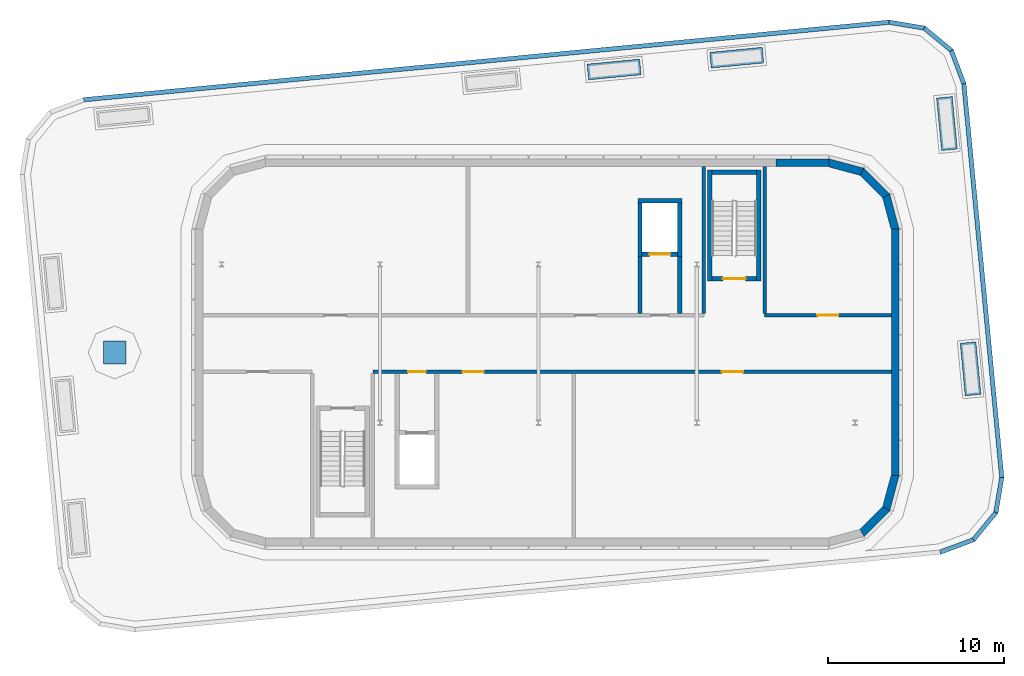
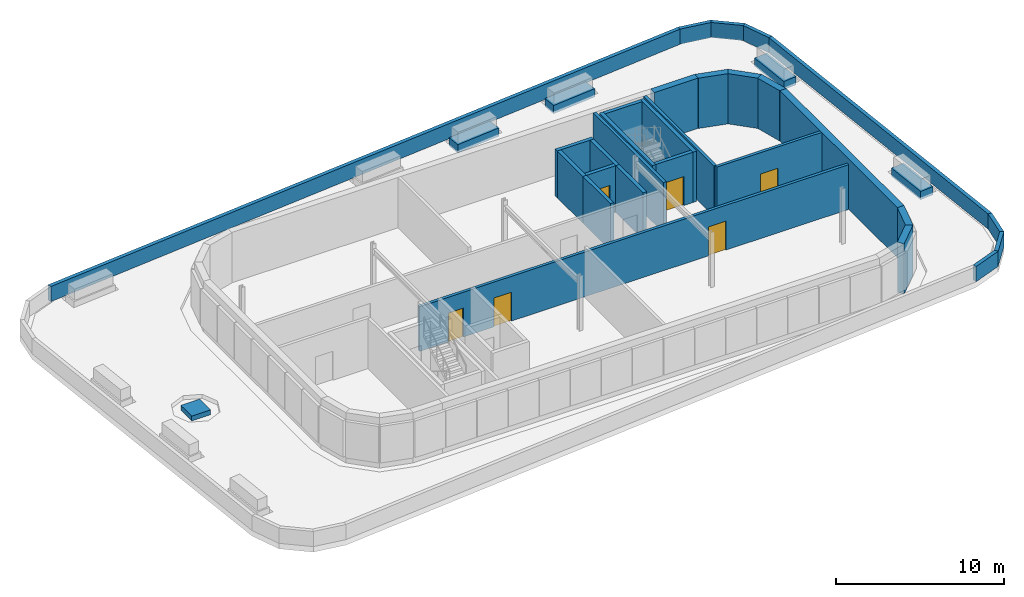
# One storey, part 3 of 6: 33 walls, 6 doors, 1 discrete accessory, 6 openings.
"""IFC4 building model written with IfcOpenShell, lengths in metres."""

from ifc_helpers import new_model, si_unit, direction, frame, frame_2d, origin, origin_2d, place, context, subcontext, project, spatial, polyline, rectangle, outline, extrude, material, layer, layer_set, type_object, element, fill, save


model = new_model("IFC4")

# Units and contexts
model_context = context("Model", 3, precision=1e-05, world=origin(), true_north=direction((0.0, 1.0)))
body_context = subcontext(model_context, "Body", "Model", "MODEL_VIEW")
ifc_project = project(units=[si_unit("LENGTHUNIT", "METRE"), si_unit("AREAUNIT", "SQUARE_METRE"), si_unit("VOLUMEUNIT", "CUBIC_METRE"), si_unit("PLANEANGLEUNIT", "RADIAN"), si_unit("MASSUNIT", "GRAM", prefix="KILO")], contexts=[model_context])

# Site, building, storey
site_placement = place(None, origin())
site = spatial("IfcSite", under=ifc_project, at=site_placement, CompositionType="ELEMENT")
building_placement = place(site_placement, origin())
building = spatial("IfcBuilding", under=site, at=building_placement, Name="Kajstack Hotel Tower", CompositionType="ELEMENT")
storey_placement = place(building_placement, frame((0.0, 0.0, 325.800048828125)))
storey = spatial("IfcBuildingStorey", under=building, at=storey_placement, Name="L82", CompositionType="ELEMENT", Elevation=325.800048828125)

# Walls
ifc_material_1 = material(Name="Concrete C40/50", Category="concrete")
ifc_layer_1 = layer(ifc_material_1, 0.449951171875)
ifc_layer_set_1 = layer_set([ifc_layer_1], Name="EW-CORE")
wall_type_1 = type_object("IfcWallType", Name="EW-CORE", PredefinedType="SOLIDWALL", material=ifc_layer_set_1)
wall_1_placement = place(storey_placement, frame((16.5, 10.27490234375, 0.0), z_axis=(0.0, 0.0, 1.0), x_axis=(-1.0, 0.0, 0.0)))
element("IfcWall", 1, at=wall_1_placement, inside=storey, type_object=wall_type_1, Name="E-wall-L82-11-00", PredefinedType="SOLIDWALL", context=body_context, shape_type="SweptSolid", body=[
    extrude(rectangle(XDim=3.0, YDim=0.449951171875, at=frame_2d((1.5, 0.0))), origin(), (0.0, 0.0, 1.0), 3.64990234375),
])
ifc_material_2 = material(Name="Zinc-clad block masonry", Category="masonry")
ifc_layer_2 = layer(ifc_material_2, 0.449951171875)
ifc_layer_set_2 = layer_set([ifc_layer_2], Name="EW-ZINC")
wall_type_2 = type_object("IfcWallType", Name="EW-ZINC", PredefinedType="SOLIDWALL", material=ifc_layer_set_2)
wall_2_placement = place(storey_placement, frame((18.3408203125, -10.804931640625, 0.0), z_axis=(0.0, 0.0, 1.0), x_axis=(0.707106781187, 0.707106781187, 0.0)))
element("IfcWall", 2, at=wall_2_placement, inside=storey, type_object=wall_type_2, Name="E-wall-L82-05-00", PredefinedType="SOLIDWALL", context=body_context, shape_type="SweptSolid", body=[
    extrude(outline(polyline([(0.0, -0.22509765625), (2.070556640625, -0.22509765625), (1.949951171875, 0.224853515625), (0.12060546875, 0.224853515625), (0.0, -0.22509765625)])), origin(), (0.0, 0.0, 1.0), 3.64990234375),
])
wall_3_placement = place(storey_placement, frame((19.746826171875, -9.441650390625, 0.0), z_axis=(0.0, 0.0, 1.0), x_axis=(0.25881466832, 0.965926999034, 0.0)))
element("IfcWall", 3, at=wall_3_placement, inside=storey, type_object=wall_type_2, Name="E-wall-L82-06-00", PredefinedType="SOLIDWALL", context=body_context, shape_type="SweptSolid", body=[
    extrude(outline(polyline([(-0.000244140625, -0.224853515625), (2.0703125, -0.22509765625), (1.949951171875, 0.22509765625), (0.120361328125, 0.22509765625), (-0.000244140625, -0.224853515625)])), origin(), (0.0, 0.0, 1.0), 3.64990234375),
])
wall_4_placement = place(storey_placement, frame((20.27490234375, -7.5, 0.0), z_axis=(0.0, 0.0, 1.0), x_axis=(0.0, 1.0, 0.0)))
element("IfcWall", 4, at=wall_4_placement, inside=storey, type_object=wall_type_2, Name="E-wall-L82-07-00", PredefinedType="SOLIDWALL", context=body_context, shape_type="SweptSolid", body=[
    extrude(rectangle(XDim=14.0, YDim=0.449951171875, at=frame_2d((7.0, 0.0))), origin(), (0.0, 0.0, 1.0), 3.64990234375),
])
wall_5_placement = place(storey_placement, frame((20.28271484375, 6.441650390625, 0.0), z_axis=(0.0, 0.0, 1.0), x_axis=(-0.25881466832, 0.965926999034, 0.0)))
element("IfcWall", 5, at=wall_5_placement, inside=storey, type_object=wall_type_2, Name="E-wall-L82-08-00", PredefinedType="SOLIDWALL", context=body_context, shape_type="SweptSolid", body=[
    extrude(outline(polyline([(0.000244140625, -0.22509765625), (2.070556640625, -0.224853515625), (1.9501953125, 0.22509765625), (0.12060546875, 0.22509765625), (0.000244140625, -0.22509765625)])), origin(), (0.0, 0.0, 1.0), 3.64990234375),
])
wall_6_placement = place(storey_placement, frame((19.804931640625, 8.3408203125, 0.0), z_axis=(0.0, 0.0, 1.0), x_axis=(-0.707106781187, 0.707106781187, 0.0)))
element("IfcWall", 6, at=wall_6_placement, inside=storey, type_object=wall_type_2, Name="E-wall-L82-09-00", PredefinedType="SOLIDWALL", context=body_context, shape_type="SweptSolid", body=[
    extrude(outline(polyline([(0.0, -0.22509765625), (2.070556640625, -0.22509765625), (1.949951171875, 0.224853515625), (0.12060546875, 0.224853515625), (0.0, -0.22509765625)])), origin(), (0.0, 0.0, 1.0), 3.64990234375),
])
wall_7_placement = place(storey_placement, frame((18.441650390625, 9.746826171875, 0.0), z_axis=(0.0, 0.0, 1.0), x_axis=(-0.965926999034, 0.25881466832, 0.0)))
element("IfcWall", 7, at=wall_7_placement, inside=storey, type_object=wall_type_2, Name="E-wall-L82-10-00", PredefinedType="SOLIDWALL", context=body_context, shape_type="SweptSolid", body=[
    extrude(outline(polyline([(-0.000244140625, -0.224853515625), (2.0703125, -0.22509765625), (1.949951171875, 0.22509765625), (0.120361328125, 0.22509765625), (-0.000244140625, -0.224853515625)])), origin(), (0.0, 0.0, 1.0), 3.64990234375),
])
ifc_layer_3 = layer(ifc_material_2, 0.25)
ifc_layer_set_3 = layer_set([ifc_layer_3], Name="PARAPET-ZINC")
wall_type_3 = type_object("IfcWallType", Name="PARAPET-ZINC", PredefinedType="PARAPET", material=ifc_layer_set_3)
wall_8_placement = place(storey_placement, origin())
element("IfcWall", 8, at=wall_8_placement, inside=storey, type_object=wall_type_3, Name="Parapet L82-01-01-03", PredefinedType="PARAPET", context=body_context, shape_type="SweptSolid", body=[
    extrude(outline(polyline([(-25.855712890625, 13.975341796875), (-25.799072265625, 13.729736328125), (19.923583984375, 18.132080078125), (19.9326171875, 18.38427734375), (-25.855712890625, 13.975341796875)])), origin(), (0.0, 0.0, 1.0), 1.099853515625),
])
wall_9_placement = place(storey_placement, origin())
element("IfcWall", 9, at=wall_9_placement, inside=storey, type_object=wall_type_3, Name="Parapet L82-01-01-04", PredefinedType="PARAPET", context=body_context, shape_type="SweptSolid", body=[
    extrude(outline(polyline([(19.9326171875, 18.38427734375), (19.923583984375, 18.132080078125), (21.8671875, 17.806884765625), (21.974609375, 18.04248046875), (19.9326171875, 18.38427734375)])), origin(), (0.0, 0.0, 1.0), 1.099853515625),
])
wall_10_placement = place(storey_placement, origin())
element("IfcWall", 10, at=wall_10_placement, inside=storey, type_object=wall_type_3, Name="Parapet L82-01-01-05", PredefinedType="PARAPET", context=body_context, shape_type="SweptSolid", body=[
    extrude(outline(polyline([(21.974609375, 18.04248046875), (21.8671875, 17.806884765625), (23.361572265625, 16.5751953125), (23.572265625, 16.7255859375), (21.974609375, 18.04248046875)])), origin(), (0.0, 0.0, 1.0), 1.099853515625),
])
wall_11_placement = place(storey_placement, origin())
element("IfcWall", 11, at=wall_11_placement, inside=storey, type_object=wall_type_3, Name="Parapet L82-01-01-06", PredefinedType="PARAPET", context=body_context, shape_type="SweptSolid", body=[
    extrude(outline(polyline([(23.572265625, 16.7255859375), (23.361572265625, 16.5751953125), (24.0517578125, 14.729248046875), (24.29736328125, 14.785888671875), (23.572265625, 16.7255859375)])), origin(), (0.0, 0.0, 1.0), 1.099853515625),
])
wall_12_placement = place(storey_placement, origin())
element("IfcWall", 12, at=wall_12_placement, inside=storey, type_object=wall_type_3, Name="Parapet L82-01-01-07", PredefinedType="PARAPET", context=body_context, shape_type="SweptSolid", body=[
    extrude(outline(polyline([(24.29736328125, 14.785888671875), (24.0517578125, 14.729248046875), (26.201904296875, -7.6015625), (26.4541015625, -7.6103515625), (24.29736328125, 14.785888671875)])), origin(), (0.0, 0.0, 1.0), 1.099853515625),
])
wall_13_placement = place(storey_placement, origin())
element("IfcWall", 13, at=wall_13_placement, inside=storey, type_object=wall_type_3, Name="Parapet L82-01-01-08", PredefinedType="PARAPET", context=body_context, shape_type="SweptSolid", body=[
    extrude(outline(polyline([(26.4541015625, -7.6103515625), (26.201904296875, -7.6015625), (25.876708984375, -9.545166015625), (26.112060546875, -9.652587890625), (26.4541015625, -7.6103515625)])), origin(), (0.0, 0.0, 1.0), 1.099853515625),
])
wall_14_placement = place(storey_placement, origin())
element("IfcWall", 14, at=wall_14_placement, inside=storey, type_object=wall_type_3, Name="Parapet L82-01-01-09", PredefinedType="PARAPET", context=body_context, shape_type="SweptSolid", body=[
    extrude(outline(polyline([(26.112060546875, -9.652587890625), (25.876708984375, -9.545166015625), (24.64501953125, -11.03955078125), (24.795166015625, -11.250244140625), (26.112060546875, -9.652587890625)])), origin(), (0.0, 0.0, 1.0), 1.099853515625),
])
wall_15_placement = place(storey_placement, origin())
element("IfcWall", 15, at=wall_15_placement, inside=storey, type_object=wall_type_3, Name="Parapet L82-01-01-10", PredefinedType="PARAPET", context=body_context, shape_type="SweptSolid", body=[
    extrude(outline(polyline([(24.795166015625, -11.250244140625), (24.64501953125, -11.03955078125), (22.799072265625, -11.729736328125), (22.855712890625, -11.975341796875), (24.795166015625, -11.250244140625)])), origin(), (0.0, 0.0, 1.0), 1.099853515625),
])
ifc_material_3 = material(Name="Concrete C30/37", Category="concrete")
ifc_layer_4 = layer(ifc_material_3, 0.89990234375)
ifc_layer_set_4 = layer_set([ifc_layer_4], Name="PLANTER-WALL")
wall_type_4 = type_object("IfcWallType", Name="PLANTER-WALL", PredefinedType="SOLIDWALL", material=ifc_layer_set_4)
for number, where, z_axis, x_axis, name in (
    (16, (2.807861328125, 15.42919921875, 0.0), (0.0, 0.0, 1.0), (0.995394704809, 0.095861262448, 0.0), "PLANTER L82-01-03"),
    (17, (9.775634765625, 16.10009765625, 0.0), (0.0, 0.0, 1.0), (0.995394704809, 0.095861262448, 0.0), "PLANTER L82-01-04"),
    (18, (23.067626953125, 13.993408203125, 0.0), (0.0, 0.0, 1.0), (0.095861262448, -0.995394704809, 0.0), "PLANTER L82-01-05"),
):
    element("IfcWall", number, at=place(storey_placement, frame(where, z_axis=z_axis, x_axis=x_axis)), inside=storey, type_object=wall_type_4, Name=name, PredefinedType="SOLIDWALL", context=body_context, shape_type="SweptSolid", body=[
        extrude(rectangle(XDim=3.000244140625, YDim=0.89990234375, at=frame_2d((1.5, 0.0))), origin(), (0.0, 0.0, 1.0), 0.599853515625),
    ])
wall_16_placement = place(storey_placement, frame((24.40966796875, 0.057861328125, 0.0), z_axis=(0.0, 0.0, 1.0), x_axis=(0.095780633019, -0.995402466512, 0.0)))
element("IfcWall", 19, at=wall_16_placement, inside=storey, type_object=wall_type_4, Name="PLANTER L82-01-06", PredefinedType="SOLIDWALL", context=body_context, shape_type="SweptSolid", body=[
    extrude(rectangle(XDim=3.0, YDim=0.89990234375, at=frame_2d((1.5, 0.0))), origin(), (0.0, 0.0, 1.0), 0.599853515625),
])

# Wall, openings, doors
ifc_material_4 = material(Name="Gypsum board on steel studs, mineral wool", Category="steel")
ifc_layer_5 = layer(ifc_material_4, 0.199951171875)
ifc_layer_set_5 = layer_set([ifc_layer_5], Name="Public partition 200")
wall_type_5 = type_object("IfcWallType", Name="Public partition 200", PredefinedType="PARTITIONING", material=ifc_layer_set_5)
wall_17_placement = place(storey_placement, frame((-9.39990234375, -1.60009765625, 0.0), z_axis=(0.0, 0.0, 1.0), x_axis=(1.0, 0.0, 0.0)))
wall_17 = element("IfcWall", 20, at=wall_17_placement, inside=storey, type_object=wall_type_5, Name="Partition FW1", PredefinedType="PARTITIONING", context=body_context, shape_type="SweptSolid", body=[
    extrude(rectangle(XDim=29.449951171875, YDim=0.199951171875, at=frame_2d((14.72509765625, 0.0))), origin(), (0.0, 0.0, 1.0), 3.25),
])
opening_1_placement = place(wall_17_placement, frame((5.10009765625, 0.0, 0.0)))
opening_1 = element("IfcOpeningElement", 21, at=opening_1_placement, cuts=wall_17, Name="Opening 82P02", PredefinedType="OPENING", context=body_context, shape_type="SweptSolid", body=[
    extrude(rectangle(XDim=1.199951171875, YDim=2.10009765625, at=frame_2d((0.60009765625, 1.050048828125))), frame((0.0, 0.10986328125, 0.0), z_axis=(0.0, -1.0, 0.0), x_axis=(1.0, 0.0, 0.0)), (0.0, 0.0, 1.0), 0.219970703125),
])
opening_2_placement = place(wall_17_placement, frame((19.824951171875, 0.0, 0.0)))
opening_2 = element("IfcOpeningElement", 22, at=opening_2_placement, cuts=wall_17, Name="Opening 82P03", PredefinedType="OPENING", context=body_context, shape_type="SweptSolid", body=[
    extrude(rectangle(XDim=1.199951171875, YDim=2.10009765625, at=frame_2d((0.60009765625, 1.050048828125))), frame((0.0, 0.10986328125, 0.0), z_axis=(0.0, -1.0, 0.0), x_axis=(1.0, 0.0, 0.0)), (0.0, 0.0, 1.0), 0.219970703125),
])
opening_3_placement = place(wall_17_placement, frame((2.0, 0.0, 0.0)))
opening_3 = element("IfcOpeningElement", 23, at=opening_3_placement, cuts=wall_17, Name="Opening 82P07", PredefinedType="OPENING", context=body_context, shape_type="SweptSolid", body=[
    extrude(rectangle(XDim=1.0, YDim=2.10009765625, at=frame_2d((0.5, 1.050048828125))), frame((0.0, 0.10986328125, 0.0), z_axis=(0.0, -1.0, 0.0), x_axis=(1.0, 0.0, 0.0)), (0.0, 0.0, 1.0), 0.219970703125),
])
ifc_material_5 = material(Name="Timber leaf, fire-rated", Category="wood")
door_type_1 = type_object("IfcDoorType", Name="Public corridor door 1200", OperationType="SINGLE_SWING_LEFT", PredefinedType="DOOR", material=ifc_material_5)
door_1_placement = place(opening_1_placement, origin())
door_1 = element("IfcDoor", 24, at=door_1_placement, inside=storey, type_object=door_type_1, Name="Door 82P02", OperationType="SINGLE_SWING_RIGHT", OverallHeight=2.10009765625, OverallWidth=1.199951171875, PredefinedType="DOOR", context=body_context, shape_type="SweptSolid", body=[
    extrude(rectangle(XDim=1.199951171875, YDim=2.10009765625, at=frame_2d((0.60009765625, 1.050048828125))), frame((0.0, 0.02490234375, 0.0), z_axis=(0.0, -1.0, 0.0), x_axis=(1.0, 0.0, 0.0)), (0.0, 0.0, 1.0), 0.050048828125),
])
fill(opening_1, door_1)
door_2_placement = place(opening_2_placement, origin())
door_2 = element("IfcDoor", 25, at=door_2_placement, inside=storey, type_object=door_type_1, Name="Door 82P03", OperationType="SINGLE_SWING_RIGHT", OverallHeight=2.10009765625, OverallWidth=1.199951171875, PredefinedType="DOOR", context=body_context, shape_type="SweptSolid", body=[
    extrude(rectangle(XDim=1.199951171875, YDim=2.10009765625, at=frame_2d((0.60009765625, 1.050048828125))), frame((0.0, 0.02490234375, 0.0), z_axis=(0.0, -1.0, 0.0), x_axis=(1.0, 0.0, 0.0)), (0.0, 0.0, 1.0), 0.050048828125),
])
fill(opening_2, door_2)
ifc_material_6 = material(Name="Timber leaf", Category="wood")
door_type_2 = type_object("IfcDoorType", Name="Public room door 1000", OperationType="SINGLE_SWING_LEFT", PredefinedType="DOOR", material=ifc_material_6)
door_3_placement = place(opening_3_placement, origin())
door_3 = element("IfcDoor", 26, at=door_3_placement, inside=storey, type_object=door_type_2, Name="Door 82P07", OperationType="SINGLE_SWING_RIGHT", OverallHeight=2.10009765625, OverallWidth=1.0, PredefinedType="DOOR", context=body_context, shape_type="SweptSolid", body=[
    extrude(rectangle(XDim=1.0, YDim=2.10009765625, at=frame_2d((0.5, 1.050048828125))), frame((0.0, 0.02490234375, 0.0), z_axis=(0.0, -1.0, 0.0), x_axis=(1.0, 0.0, 0.0)), (0.0, 0.0, 1.0), 0.050048828125),
])
fill(opening_3, door_3)

# Walls
for number, where, z_axis, x_axis, name in (
    (27, (12.85009765625, 1.699951171875, 0.0), (0.0, 0.0, 1.0), (0.0, 1.0, 0.0), "Partition SX0"),
    (28, (9.39990234375, 1.699951171875, 0.0), (0.0, 0.0, 1.0), (0.0, 1.0, 0.0), "Partition SX1"),
):
    element("IfcWall", number, at=place(storey_placement, frame(where, z_axis=z_axis, x_axis=x_axis)), inside=storey, type_object=wall_type_5, Name=name, PredefinedType="PARTITIONING", context=body_context, shape_type="SweptSolid", body=[
        extrude(rectangle(XDim=8.35009765625, YDim=0.199951171875, at=frame_2d((4.175048828125, 0.0))), origin(), (0.0, 0.0, 1.0), 3.64990234375),
    ])

# Wall, opening, door
wall_18_placement = place(storey_placement, frame((12.85009765625, 1.60009765625, 0.0), z_axis=(0.0, 0.0, 1.0), x_axis=(1.0, 0.0, 0.0)))
wall_18 = element("IfcWall", 29, at=wall_18_placement, inside=storey, type_object=wall_type_5, Name="Partition SFW0", PredefinedType="PARTITIONING", context=body_context, shape_type="SweptSolid", body=[
    extrude(rectangle(XDim=7.199951171875, YDim=0.199951171875, at=frame_2d((3.60009765625, 0.0))), origin(), (0.0, 0.0, 1.0), 3.64990234375),
])
opening_4_placement = place(wall_18_placement, frame((3.0, 0.0, 0.0)))
opening_4 = element("IfcOpeningElement", 30, at=opening_4_placement, cuts=wall_18, Name="Opening 82P04", PredefinedType="OPENING", context=body_context, shape_type="SweptSolid", body=[
    extrude(rectangle(XDim=1.199951171875, YDim=2.10009765625, at=frame_2d((0.60009765625, 1.050048828125))), frame((0.0, 0.10986328125, 0.0), z_axis=(0.0, -1.0, 0.0), x_axis=(1.0, 0.0, 0.0)), (0.0, 0.0, 1.0), 0.219970703125),
])
door_4_placement = place(opening_4_placement, origin())
door_4 = element("IfcDoor", 31, at=door_4_placement, inside=storey, type_object=door_type_1, Name="Door 82P04", OperationType="SINGLE_SWING_LEFT", OverallHeight=2.10009765625, OverallWidth=1.199951171875, PredefinedType="DOOR", context=body_context, shape_type="SweptSolid", body=[
    extrude(rectangle(XDim=1.199951171875, YDim=2.10009765625, at=frame_2d((0.60009765625, 1.050048828125))), frame((0.0, 0.02490234375, 0.0), z_axis=(0.0, -1.0, 0.0), x_axis=(1.0, 0.0, 0.0)), (0.0, 0.0, 1.0), 0.050048828125),
])
fill(opening_4, door_4)

# Walls
ifc_layer_6 = layer(ifc_material_4, 0.199951171875)
ifc_layer_set_6 = layer_set([ifc_layer_6], Name="Service partition 200")
wall_type_6 = type_object("IfcWallType", Name="Service partition 200", PredefinedType="PARTITIONING", material=ifc_layer_set_6)
for number, where, z_axis, x_axis, name in (
    (32, (8.02490234375, 1.699951171875, 0.0), (0.0, 0.0, 1.0), (0.0, 1.0, 0.0), "Partition E CLLW"),
    (33, (5.77490234375, 1.699951171875, 0.0), (0.0, 0.0, 1.0), (0.0, 1.0, 0.0), "Partition E CLLE"),
):
    element("IfcWall", number, at=place(storey_placement, frame(where, z_axis=z_axis, x_axis=x_axis)), inside=storey, type_object=wall_type_6, Name=name, PredefinedType="PARTITIONING", context=body_context, shape_type="SweptSolid", body=[
        extrude(rectangle(XDim=3.25, YDim=0.25, at=frame_2d((1.625, 0.0))), origin(), (0.0, 0.0, 1.0), 3.39990234375),
    ])
ifc_material_7 = material(Name="Concrete C50/60", Category="concrete")
ifc_layer_7 = layer(ifc_material_7, 0.25)
ifc_layer_set_7 = layer_set([ifc_layer_7], Name="Shaft wall 250")
wall_type_7 = type_object("IfcWallType", Name="Shaft wall 250", PredefinedType="SHEAR", material=ifc_layer_set_7)
wall_19_placement = place(storey_placement, frame((5.64990234375, 8.125, 0.0), z_axis=(0.0, 0.0, 1.0), x_axis=(1.0, 0.0, 0.0)))
element("IfcWall", 34, at=wall_19_placement, inside=storey, type_object=wall_type_7, Name="Core wall E CLS", PredefinedType="SHEAR", context=body_context, shape_type="SweptSolid", body=[
    extrude(rectangle(XDim=2.5, YDim=0.25, at=frame_2d((1.25, 0.0))), origin(), (0.0, 0.0, 1.0), 3.39990234375),
])
for number, where, z_axis, x_axis, name in (
    (35, (8.02490234375, 4.949951171875, 0.0), (0.0, 0.0, 1.0), (0.0, 1.0, 0.0), "Core wall E CLW"),
    (36, (5.77490234375, 4.949951171875, 0.0), (0.0, 0.0, 1.0), (0.0, 1.0, 0.0), "Core wall E CLE"),
):
    element("IfcWall", number, at=place(storey_placement, frame(where, z_axis=z_axis, x_axis=x_axis)), inside=storey, type_object=wall_type_7, Name=name, PredefinedType="SHEAR", context=body_context, shape_type="SweptSolid", body=[
        extrude(rectangle(XDim=3.050048828125, YDim=0.25, at=frame_2d((1.52490234375, 0.0))), origin(), (0.0, 0.0, 1.0), 3.39990234375),
    ])

# Wall, opening, door
wall_20_placement = place(storey_placement, frame((5.89990234375, 5.074951171875, 0.0), z_axis=(0.0, 0.0, 1.0), x_axis=(1.0, 0.0, 0.0)))
wall_20 = element("IfcWall", 37, at=wall_20_placement, inside=storey, type_object=wall_type_7, Name="Core wall E CLN", PredefinedType="SHEAR", context=body_context, shape_type="SweptSolid", body=[
    extrude(rectangle(XDim=2.0, YDim=0.25, at=frame_2d((1.0, 0.0))), origin(), (0.0, 0.0, 1.0), 3.39990234375),
])
opening_5_placement = place(wall_20_placement, frame((0.39990234375, 0.0, 0.0)))
opening_5 = element("IfcOpeningElement", 38, at=opening_5_placement, cuts=wall_20, Name="Opening LD-CL2", PredefinedType="OPENING", context=body_context, shape_type="SweptSolid", body=[
    extrude(rectangle(XDim=1.199951171875, YDim=2.10009765625, at=frame_2d((0.60009765625, 1.050048828125))), frame((0.0, 0.135009765625, 0.0), z_axis=(0.0, -1.0, 0.0), x_axis=(1.0, 0.0, 0.0)), (0.0, 0.0, 1.0), 0.27001953125),
])
ifc_material_8 = material(Name="Stainless steel", Category="steel")
door_type_3 = type_object("IfcDoorType", Name="Lift landing door 1200", OperationType="SLIDING_TO_LEFT", PredefinedType="DOOR", material=ifc_material_8)
door_5_placement = place(opening_5_placement, origin())
door_5 = element("IfcDoor", 39, at=door_5_placement, inside=storey, type_object=door_type_3, Name="Landing door CL2", OperationType="SLIDING_TO_LEFT", OverallHeight=2.10009765625, OverallWidth=1.199951171875, PredefinedType="DOOR", context=body_context, shape_type="SweptSolid", body=[
    extrude(rectangle(XDim=1.199951171875, YDim=2.10009765625, at=frame_2d((0.60009765625, 1.050048828125))), frame((0.0, 0.02490234375, 0.0), z_axis=(0.0, -1.0, 0.0), x_axis=(1.0, 0.0, 0.0)), (0.0, 0.0, 1.0), 0.050048828125),
])
fill(opening_5, door_5)

# Walls
ifc_layer_8 = layer(ifc_material_1, 0.25)
ifc_layer_set_8 = layer_set([ifc_layer_8], Name="Stair enclosure wall 250")
wall_type_8 = type_object("IfcWallType", Name="Stair enclosure wall 250", PredefinedType="SHEAR", material=ifc_layer_set_8)
for number, where, z_axis, x_axis, name in (
    (40, (9.72509765625, 3.550048828125, 0.0), (0.0, 0.0, 1.0), (0.0, 1.0, 0.0), "Stair wall R2 W"),
    (41, (12.52490234375, 3.550048828125, 0.0), (0.0, 0.0, 1.0), (0.0, 1.0, 0.0), "Stair wall R2 E"),
):
    element("IfcWall", number, at=place(storey_placement, frame(where, z_axis=z_axis, x_axis=x_axis)), inside=storey, type_object=wall_type_8, Name=name, PredefinedType="SHEAR", context=body_context, shape_type="SweptSolid", body=[
        extrude(rectangle(XDim=6.300048828125, YDim=0.25, at=frame_2d((3.14990234375, 0.0))), origin(), (0.0, 0.0, 1.0), 3.64990234375),
    ])
wall_21_placement = place(storey_placement, frame((9.85009765625, 9.72509765625, 0.0), z_axis=(0.0, 0.0, 1.0), x_axis=(1.0, 0.0, 0.0)))
element("IfcWall", 42, at=wall_21_placement, inside=storey, type_object=wall_type_8, Name="Stair wall R2 F", PredefinedType="SHEAR", context=body_context, shape_type="SweptSolid", body=[
    extrude(rectangle(XDim=2.5498046875, YDim=0.25, at=frame_2d((1.27490234375, 0.0))), origin(), (0.0, 0.0, 1.0), 3.64990234375),
])

# Wall, opening, door
wall_22_placement = place(storey_placement, frame((9.85009765625, 3.675048828125, 0.0), z_axis=(0.0, 0.0, 1.0), x_axis=(1.0, 0.0, 0.0)))
wall_22 = element("IfcWall", 43, at=wall_22_placement, inside=storey, type_object=wall_type_8, Name="Stair wall R2 N", PredefinedType="SHEAR", context=body_context, shape_type="SweptSolid", body=[
    extrude(rectangle(XDim=2.5498046875, YDim=0.25, at=frame_2d((1.27490234375, 0.0))), origin(), (0.0, 0.0, 1.0), 3.64990234375),
])
opening_6_placement = place(wall_22_placement, frame((0.625, 0.0, 0.0)))
opening_6 = element("IfcOpeningElement", 44, at=opening_6_placement, cuts=wall_22, Name="Opening 82R2", PredefinedType="OPENING", context=body_context, shape_type="SweptSolid", body=[
    extrude(rectangle(XDim=1.300048828125, YDim=2.10009765625, at=frame_2d((0.64990234375, 1.050048828125))), frame((0.0, 0.135009765625, 0.0), z_axis=(0.0, -1.0, 0.0), x_axis=(1.0, 0.0, 0.0)), (0.0, 0.0, 1.0), 0.27001953125),
])
ifc_material_9 = material(Name="Steel leaf, fire-rated", Category="steel")
door_type_4 = type_object("IfcDoorType", Name="Stair door 1300", OperationType="SINGLE_SWING_LEFT", PredefinedType="DOOR", material=ifc_material_9)
door_6_placement = place(opening_6_placement, origin())
door_6 = element("IfcDoor", 45, at=door_6_placement, inside=storey, type_object=door_type_4, Name="Door 82R2", OperationType="SINGLE_SWING_LEFT", OverallHeight=2.10009765625, OverallWidth=1.300048828125, PredefinedType="DOOR", context=body_context, shape_type="SweptSolid", body=[
    extrude(rectangle(XDim=1.300048828125, YDim=2.10009765625, at=frame_2d((0.64990234375, 1.050048828125))), frame((0.0, 0.02490234375, 0.0), z_axis=(0.0, -1.0, 0.0), x_axis=(1.0, 0.0, 0.0)), (0.0, 0.0, 1.0), 0.050048828125),
])
fill(opening_6, door_6)

# Discrete accessory
ifc_material_10 = material(Name="Steel S355J2", Category="steel")
discrete_accessory_type = type_object("IfcDiscreteAccessoryType", Name="ROOF ACCESS HATCH", PredefinedType="USERDEFINED", material=ifc_material_10)
discrete_accessory_placement = place(storey_placement, frame((-24.073974609375, -0.504150390625, 0.0), z_axis=(0.0, 0.0, 1.0), x_axis=(1.0, 0.0, 0.0)))
element("IfcDiscreteAccessory", 46, at=discrete_accessory_placement, inside=storey, type_object=discrete_accessory_type, Name="Roof access hatch L82-01", ObjectType="ROOF ACCESS HATCH", PredefinedType="USERDEFINED", context=body_context, shape_type="SweptSolid", body=[
    extrude(rectangle(XDim=1.300048828125, YDim=1.300048828125, at=origin_2d()), origin(), (0.0, 0.0, 1.0), 0.35009765625),
])

save(model, "model.ifc")
